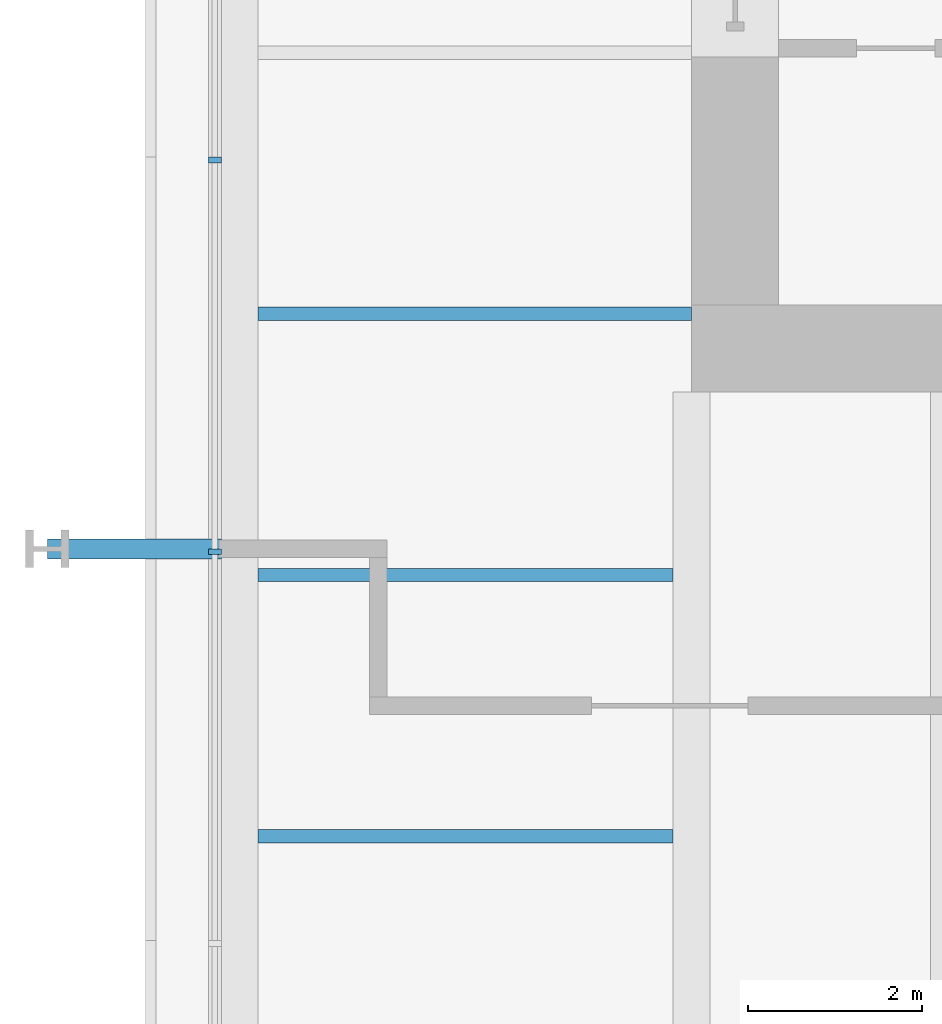
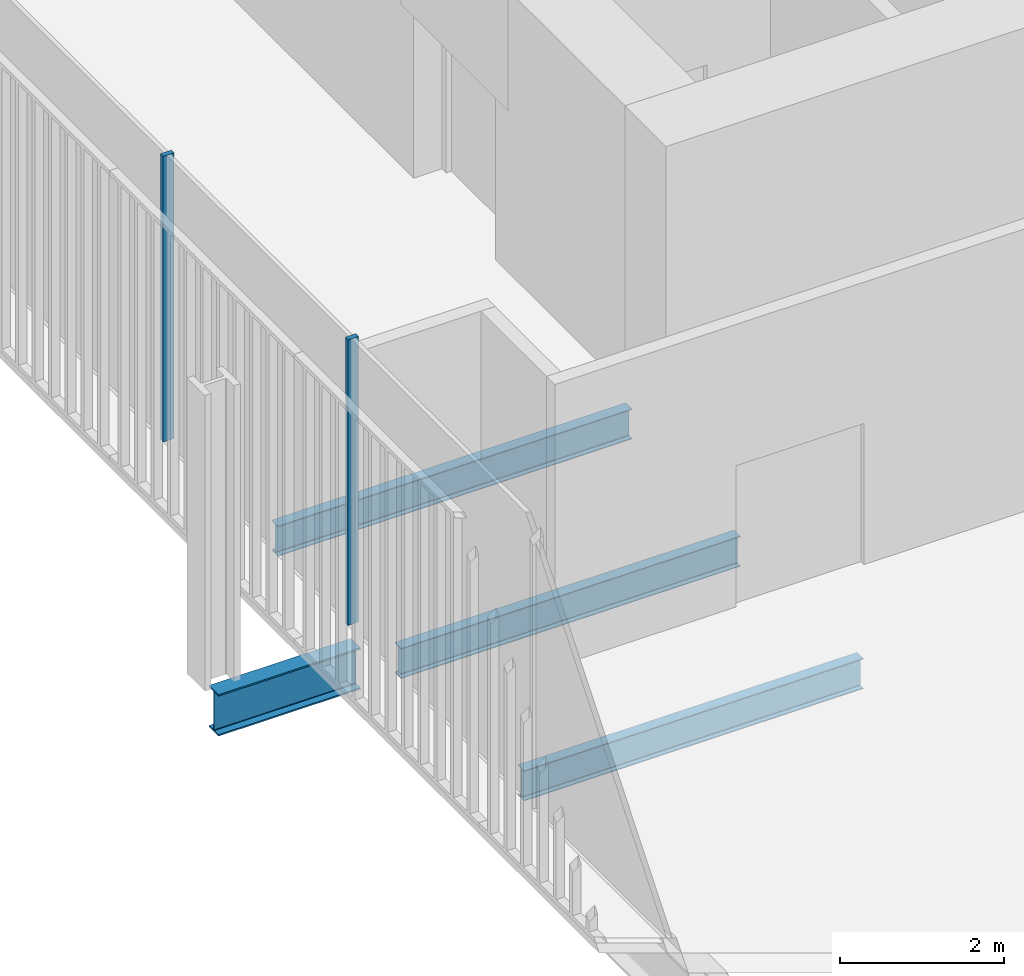
# One storey, part 5 of 20: 4 beams, 2 members, 1 element without a shape of its own.
"""IFC4 building model written with IfcOpenShell, lengths in metres."""

import ifcopenshell
import ifcopenshell.guid

model = None  # the IFC model being written
_history = None  # IfcOwnerHistory: only IFC2X3 demands one
_inside = {}  # id of a spatial element -> (the spatial element, [elements in it])
_under = {}  # id of a project, library or spatial element -> (it, [spatial elements below it])
_declared = {}  # id of a project -> (the project, [libraries it declares])
_typed = {}  # id of a type object -> (the type object, [elements of that type])
_made_of = {}  # id of a material, layer set ... -> (it, [elements and type objects made of it])


def new_model(schema):
    """Start an empty IFC model of exactly this schema.

    Asked for "IFC4X3", IfcOpenShell would pick the latest addendum, in which some entities
    have other attributes; the version numbers below select the first issue.
    IFC2X3 requires an IfcOwnerHistory on every rooted entity: one is made here for all.
    """
    global model, _history
    if schema == "IFC4X3":
        model = ifcopenshell.file(schema_version=(4, 3, 0, 0))
    else:
        model = ifcopenshell.file(schema=schema)
    _inside.clear()
    _under.clear()
    _declared.clear()
    _typed.clear()
    _made_of.clear()
    _history = None
    if model.schema == "IFC2X3":
        org = make("IfcOrganization", Name="unknown")
        user = make(
            "IfcPersonAndOrganization",
            ThePerson=make("IfcPerson", FamilyName="unknown"),
            TheOrganization=org,
        )
        app = make(
            "IfcApplication",
            ApplicationDeveloper=org,
            Version="unknown",
            ApplicationFullName="unknown",
            ApplicationIdentifier="unknown",
        )
        _history = make(
            "IfcOwnerHistory",
            OwningUser=user,
            OwningApplication=app,
            ChangeAction="ADDED",
            CreationDate=0,
        )
    return model


def make(cls, **values):
    """One entity of the class cls with the attributes given. An attribute that is None is left unset."""
    return model.create_entity(
        cls, **{name: value for name, value in values.items() if value is not None}
    )


def rooted(cls, **values):
    """An entity with a GlobalId (a new one), such as an element, a storey or a relation."""
    return make(cls, GlobalId=ifcopenshell.guid.new(), OwnerHistory=_history, **values)


def si_unit(unit_type, name, prefix=None):
    """IfcSIUnit, for example si_unit("LENGTHUNIT", "METRE", prefix="MILLI")."""
    return make("IfcSIUnit", UnitType=unit_type, Prefix=prefix, Name=name)


def assignment(units):
    """IfcUnitAssignment: the units of a project."""
    return None if units is None else make("IfcUnitAssignment", Units=units)


def point(xyz):
    """IfcCartesianPoint."""
    return None if xyz is None else make("IfcCartesianPoint", Coordinates=xyz)


def direction(xyz):
    """IfcDirection."""
    return None if xyz is None else make("IfcDirection", DirectionRatios=xyz)


def frame(location, z_axis=None, x_axis=None):
    """IfcAxis2Placement3D, a coordinate frame: its origin and axes. An axis left out is left unset."""
    return make(
        "IfcAxis2Placement3D",
        Location=point(location),
        Axis=direction(z_axis),
        RefDirection=direction(x_axis),
    )


def frame_2d(location, x_axis=None):
    """IfcAxis2Placement2D, a coordinate frame in the plane: its origin and x axis."""
    return make(
        "IfcAxis2Placement2D", Location=point(location), RefDirection=direction(x_axis)
    )


def origin():
    """The frame at (0, 0, 0) with its axes left unset."""
    return frame((0.0, 0.0, 0.0))


def origin_2d():
    """The frame at (0, 0) in the plane with its x axis left unset."""
    return frame_2d((0.0, 0.0))


def place(relative_to, where):
    """IfcLocalPlacement: puts the frame where relative to a parent placement (None: the world)."""
    return make(
        "IfcLocalPlacement", PlacementRelTo=relative_to, RelativePlacement=where
    )


def context(
    kind, dimensions, precision=None, world=None, true_north=None, identifier=None
):
    """IfcGeometricRepresentationContext, for example the 3D "Model" context."""
    return make(
        "IfcGeometricRepresentationContext",
        ContextIdentifier=identifier,
        ContextType=kind,
        CoordinateSpaceDimension=dimensions,
        Precision=precision,
        WorldCoordinateSystem=world,
        TrueNorth=true_north,
    )


def subcontext(parent, identifier, kind, view, scale=None):
    """IfcGeometricRepresentationSubContext, for example "Body" below "Model"."""
    return make(
        "IfcGeometricRepresentationSubContext",
        ContextIdentifier=identifier,
        ContextType=kind,
        ParentContext=parent,
        TargetScale=scale,
        TargetView=view,
    )


def project(units=None, contexts=None):
    """IfcProject with its units and contexts."""
    return rooted(
        "IfcProject",
        Name="project",
        RepresentationContexts=contexts,
        UnitsInContext=assignment(units),
    )


def spatial(cls, under=None, at=None, **own):
    """A site, building, storey or space (cls), placed at a placement, below another one or the project."""
    s = rooted(cls, ObjectPlacement=at, **own)
    if under is not None:
        _under.setdefault(under.id(), (under, []))[1].append(s)
    return s


def profile(cls, at=None, kind="AREA", **sizes):
    """A parametric profile (cls). Its sizes go by their IFC names, for example OverallWidth=200.0."""
    return make(cls, ProfileType=kind, Position=at, **sizes)


def rectangle(**sizes):
    """IfcRectangleProfileDef."""
    return profile("IfcRectangleProfileDef", **sizes)


def i_section(**sizes):
    """IfcIShapeProfileDef."""
    return profile("IfcIShapeProfileDef", **sizes)


def extrude(swept, where, along, depth):
    """IfcExtrudedAreaSolid: the profile swept, set in the frame where, extruded along a direction by depth."""
    return make(
        "IfcExtrudedAreaSolid",
        SweptArea=swept,
        Position=where,
        ExtrudedDirection=direction(along),
        Depth=depth,
    )


def shape(context_of_items, identifier, shape_type, items):
    """IfcShapeRepresentation: the items that make up one representation, for example the "Body"."""
    return make(
        "IfcShapeRepresentation",
        ContextOfItems=context_of_items,
        RepresentationIdentifier=identifier,
        RepresentationType=shape_type,
        Items=items,
    )


def material(Name=None, Category=None):
    """IfcMaterial."""
    return make("IfcMaterial", Name=Name, Category=Category)


def layer(
    of_material, thickness, ventilated=None, Name=None, Category=None, Priority=None
):
    """IfcMaterialLayer: one layer of a wall or slab, of a material (None: an air gap)."""
    return make(
        "IfcMaterialLayer",
        Material=of_material,
        LayerThickness=thickness,
        IsVentilated=ventilated,
        Name=Name,
        Category=Category,
        Priority=Priority,
    )


def layer_set(layers, Name=None):
    """IfcMaterialLayerSet."""
    return make("IfcMaterialLayerSet", MaterialLayers=layers, LayerSetName=Name)


def material_profile(
    of_material, cross_section, Name=None, Category=None, Priority=None
):
    """IfcMaterialProfile: a cross section and its material."""
    return make(
        "IfcMaterialProfile",
        Name=Name,
        Material=of_material,
        Profile=cross_section,
        Priority=Priority,
        Category=Category,
    )


def profile_set(profiles, Name=None, composite=None):
    """IfcMaterialProfileSet."""
    return make(
        "IfcMaterialProfileSet",
        Name=Name,
        MaterialProfiles=profiles,
        CompositeProfile=composite,
    )


def made_of(thing, what):
    """Note that an element or type object is made of a material, layer set ...; save() writes the relation."""
    if what is not None:
        _made_of.setdefault(what.id(), (what, []))[1].append(thing)
    return thing


def type_object(cls, material=None, **own):
    """A type object (cls), such as IfcWallType, which elements share."""
    return made_of(rooted(cls, **own), material)


def element(
    cls,
    number,
    at=None,
    inside=None,
    cuts=None,
    type_object=None,
    material=None,
    context=None,
    identifier="Body",
    shape_type=None,
    held_by="IfcProductDefinitionShape",
    body=None,
    shapes=None,
    **own,
):
    """One element of the class cls, such as IfcWall. Its Tag is "e" and its number.

    at: its placement. inside: the storey or other place that contains it. cuts: it is an
    opening in that element (IfcRelVoidsElement). A single representation is given by context,
    identifier, shape_type and body (its items); several are given by shapes. held_by: the class
    of the entity that holds the representations. save() writes the other relations.
    """
    e = rooted(cls, Tag="e%d" % number, ObjectPlacement=at, **own)
    if body is not None:
        shapes = [shape(context, identifier, shape_type, body)]
    if shapes is not None:
        e.Representation = make(held_by, Representations=shapes)
    if inside is not None:
        _inside.setdefault(inside.id(), (inside, []))[1].append(e)
    if cuts is not None:
        rooted(
            "IfcRelVoidsElement", RelatingBuildingElement=cuts, RelatedOpeningElement=e
        )
    if type_object is not None:
        _typed.setdefault(type_object.id(), (type_object, []))[1].append(e)
    return made_of(e, material)


def aggregate(whole, parts):
    """IfcRelAggregates: a whole, such as a stair, and the parts it consists of."""
    return rooted("IfcRelAggregates", RelatingObject=whole, RelatedObjects=parts)


def save(model, path):
    """Write the relations noted so far, then the file.

    IfcRelAggregates (storeys below a building ...), IfcRelContainedInSpatialStructure (elements
    in a storey), IfcRelDefinesByType, IfcRelAssociatesMaterial and IfcRelDeclares: one each for
    every whole, place, type object, material and project.
    """
    for whole, parts in _under.values():
        aggregate(whole, parts)
    for where, things in _inside.values():
        rooted(
            "IfcRelContainedInSpatialStructure",
            RelatedElements=things,
            RelatingStructure=where,
        )
    for kind, things in _typed.values():
        rooted("IfcRelDefinesByType", RelatedObjects=things, RelatingType=kind)
    for what, things in _made_of.values():
        rooted("IfcRelAssociatesMaterial", RelatedObjects=things, RelatingMaterial=what)
    for by, libraries in _declared.values():
        rooted("IfcRelDeclares", RelatingContext=by, RelatedDefinitions=libraries)
    model.write(path)


model = new_model("IFC4")

# Units and contexts
model_context = context("Model", 3, precision=1e-05, world=origin(), true_north=direction((0.0, 1.0)))
body_context = subcontext(model_context, "Body", "Model", "MODEL_VIEW")
ifc_project = project(units=[si_unit("LENGTHUNIT", "METRE"), si_unit("AREAUNIT", "SQUARE_METRE"), si_unit("VOLUMEUNIT", "CUBIC_METRE"), si_unit("PLANEANGLEUNIT", "RADIAN"), si_unit("MASSUNIT", "GRAM", prefix="KILO")], contexts=[model_context])

# Site, building, storey
site_placement = place(None, origin())
site = spatial("IfcSite", under=ifc_project, at=site_placement, CompositionType="ELEMENT")
building_placement = place(site_placement, origin())
building = spatial("IfcBuilding", under=site, at=building_placement, Name="Millrace Tower", CompositionType="ELEMENT")
storey_placement = place(building_placement, frame((0.0, 0.0, 86.39990234375)))
storey = spatial("IfcBuildingStorey", under=building, at=storey_placement, Name="L19", CompositionType="ELEMENT", Elevation=86.39990234375)

# Curtain wall, members
ifc_material_1 = material(Name="Aluminium and glass", Category="aluminium")
ifc_layer = layer(ifc_material_1, 0.14990234375)
ifc_layer_set = layer_set([ifc_layer], Name="Aluminium and glass")
curtain_wall_type = type_object("IfcCurtainWallType", Name="CW-3 telecom floor curtain wall", PredefinedType="NOTDEFINED", material=ifc_layer_set)
curtain_wall_placement = place(storey_placement, origin())
curtain_wall = element("IfcCurtainWall", 1, at=curtain_wall_placement, inside=storey, type_object=curtain_wall_type, Name="Curtain wall B-F08 L19", PredefinedType="NOTDEFINED")
ifc_material_2 = material(Name="Aluminium", Category="aluminium")
ifc_material_profile_1 = material_profile(ifc_material_2, rectangle(XDim=0.06494140625, YDim=0.14990234375, at=origin_2d()))
ifc_profile_set_1 = profile_set([ifc_material_profile_1], Name="Aluminium")
member_type = type_object("IfcMemberType", Name="CW-3 telecom floor curtain wall mullion", PredefinedType="MULLION", material=ifc_profile_set_1)
member_1_placement = place(storey_placement, frame((-20.375, -7.232421875, 0.150146484375), z_axis=(0.0, 0.0, 1.0), x_axis=(0.0, -1.0, 0.0)))
member_1 = element("IfcMember", 2, at=member_1_placement, type_object=member_type, Name="CW3 mullion B-F08.6", PredefinedType="MULLION", context=body_context, shape_type="SweptSolid", body=[
    extrude(rectangle(XDim=0.06494140625, YDim=0.14990234375, at=origin_2d()), origin(), (0.0, 0.0, 1.0), 4.25),
])
member_2_placement = place(storey_placement, frame((-20.375, -11.732421875, 0.150146484375), z_axis=(0.0, 0.0, 1.0), x_axis=(0.0, -1.0, 0.0)))
member_2 = element("IfcMember", 3, at=member_2_placement, type_object=member_type, Name="CW3 mullion B-F08.7", PredefinedType="MULLION", context=body_context, shape_type="SweptSolid", body=[
    extrude(rectangle(XDim=0.06494140625, YDim=0.14990234375, at=origin_2d()), origin(), (0.0, 0.0, 1.0), 4.25),
])
aggregate(curtain_wall, [member_1, member_2])

# Beams
ifc_material_3 = material(Name="Steel ASTM A992 Grade 50", Category="steel")
ifc_material_profile_2 = material_profile(ifc_material_3, i_section(OverallWidth=0.15234375, OverallDepth=0.449462890625, WebThickness=0.007568359375, FlangeThickness=0.0107421875, FilletRadius=0.01025390625, at=origin_2d()))
ifc_profile_set_2 = profile_set([ifc_material_profile_2], Name="Steel ASTM A992 Grade 50")
beam_type_1 = type_object("IfcBeamType", Name="Floor beam W18x35", PredefinedType="JOIST", material=ifc_profile_set_2)
for number, where, z_axis, x_axis, name in (
    (4, (-19.880859375, -15.0, -0.4248046875), (1.0, 0.0, 0.0), (0.0, 1.0, 0.0), "BM-B-L19-S1-S009"),
    (5, (-19.880859375, -12.0, -0.4248046875), (1.0, 0.0, 0.0), (0.0, 1.0, 0.0), "BM-B-L19-S1-S011"),
):
    element("IfcBeam", number, at=place(storey_placement, frame(where, z_axis=z_axis, x_axis=x_axis)), inside=storey, type_object=beam_type_1, Name=name, PredefinedType="JOIST", context=body_context, shape_type="SweptSolid", body=[
        extrude(i_section(OverallWidth=0.15234375, OverallDepth=0.449462890625, WebThickness=0.007568359375, FlangeThickness=0.0107421875, FilletRadius=0.01025390625, at=origin_2d()), origin(), (0.0, 0.0, 1.0), 4.77001953125),
    ])
beam_1_placement = place(storey_placement, frame((-19.880859375, -9.0, -0.4248046875), z_axis=(1.0, 0.0, 0.0), x_axis=(0.0, 1.0, 0.0)))
element("IfcBeam", 6, at=beam_1_placement, inside=storey, type_object=beam_type_1, Name="BM-B-L19-S1-S014", PredefinedType="JOIST", context=body_context, shape_type="SweptSolid", body=[
    extrude(i_section(OverallWidth=0.15234375, OverallDepth=0.449462890625, WebThickness=0.007568359375, FlangeThickness=0.0107421875, FilletRadius=0.01025390625, at=origin_2d()), origin(), (0.0, 0.0, 1.0), 4.98095703125),
])
ifc_material_4 = material(Name="Steel ASTM A992 Grade 50", Category="steel")
ifc_material_profile_3 = material_profile(ifc_material_4, i_section(OverallWidth=0.23046875, OverallDepth=0.6171875, WebThickness=0.01318359375, FlangeThickness=0.022216796875, FilletRadius=0.012939453125, at=origin_2d()))
ifc_profile_set_3 = profile_set([ifc_material_profile_3], Name="Steel ASTM A992 Grade 50")
beam_type_2 = type_object("IfcBeamType", Name="Link beam W24x94", PredefinedType="BEAM", material=ifc_profile_set_3)
beam_2_placement = place(storey_placement, frame((-20.300048828125, -11.699951171875, -0.508544921875), z_axis=(-1.0, 0.0, 0.0), x_axis=(0.0, -1.0, 0.0)))
element("IfcBeam", 7, at=beam_2_placement, inside=storey, type_object=beam_type_2, Name="LNK-B-L19-S1-02", PredefinedType="BEAM", context=body_context, shape_type="SweptSolid", body=[
    extrude(i_section(OverallWidth=0.23046875, OverallDepth=0.6171875, WebThickness=0.01318359375, FlangeThickness=0.022216796875, FilletRadius=0.012939453125, at=origin_2d()), origin(), (0.0, 0.0, 1.0), 2.0),
])

save(model, "model.ifc")
